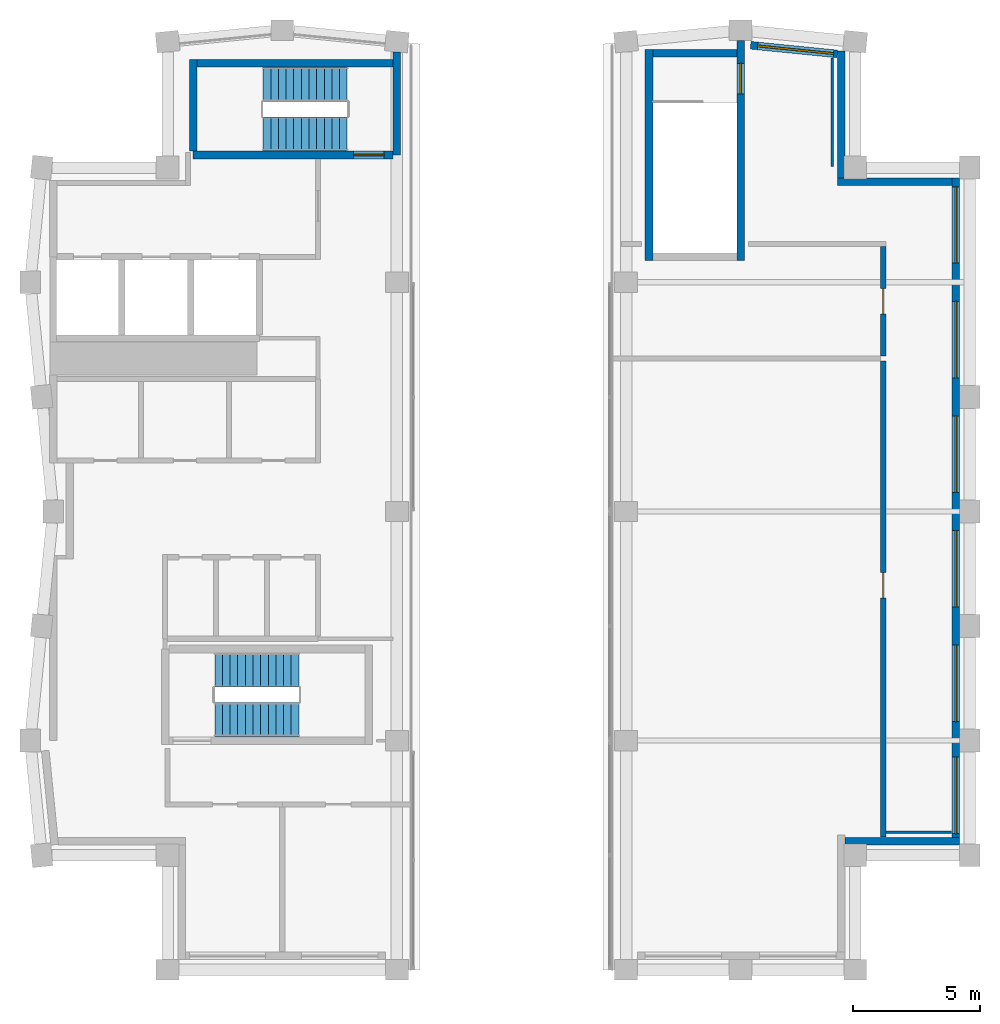
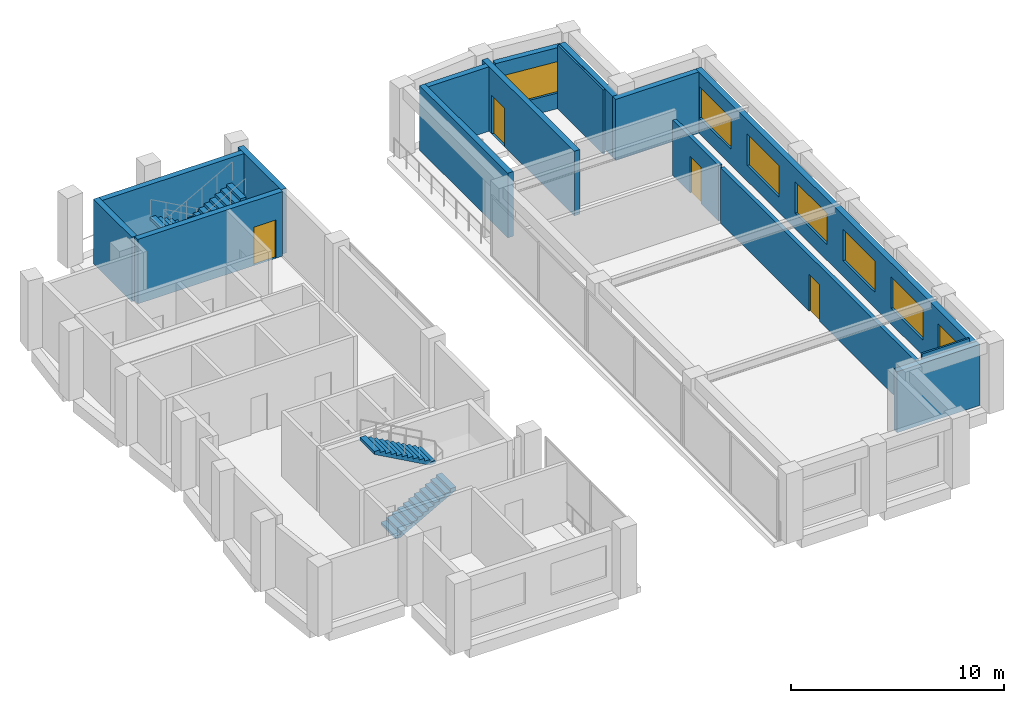
# One storey, part 8 of 9: 16 walls, 7 windows, 4 doors, 4 stair flights, 11 openings, 2 elements without a shape of their own.
"""IFC4 building model written with IfcOpenShell, lengths in metres."""

from ifc_helpers import new_model, si_unit, direction, frame, frame_2d, origin, place, context, subcontext, project, spatial, polyline, rectangle, outline, extrude, material, layer, layer_set, type_object, element, fill, aggregate, save


model = new_model("IFC4")

# Units and contexts
model_context = context("Model", 3, precision=1e-05, world=origin(), true_north=direction((0.0, 1.0)))
body_context = subcontext(model_context, "Body", "Model", "MODEL_VIEW")
ifc_project = project(units=[si_unit("LENGTHUNIT", "METRE"), si_unit("AREAUNIT", "SQUARE_METRE"), si_unit("VOLUMEUNIT", "CUBIC_METRE"), si_unit("PLANEANGLEUNIT", "RADIAN"), si_unit("MASSUNIT", "GRAM", prefix="KILO")], contexts=[model_context])

# Site, building, storey
site_placement = place(None, origin())
site = spatial("IfcSite", under=ifc_project, at=site_placement, CompositionType="ELEMENT")
building_placement = place(site_placement, origin())
building = spatial("IfcBuilding", under=site, at=building_placement, Name="Brondeck Convention Tower", CompositionType="ELEMENT")
storey_placement = place(building_placement, frame((0.0, 0.0, 294.800048828125)))
storey = spatial("IfcBuildingStorey", under=building, at=storey_placement, Name="L73", CompositionType="ELEMENT", Elevation=294.800048828125)

# Wall
ifc_material_1 = material(Name="Precast concrete C50/60 bronze finish", Category="concrete")
ifc_layer_1 = layer(ifc_material_1, 0.070068359375, Name="Bronze precast facing")
ifc_material_2 = material(Name="Mineral wool")
ifc_layer_2 = layer(ifc_material_2, 0.159912109375, Name="Insulation")
ifc_material_3 = material(Name="Concrete C35/45", Category="concrete")
ifc_layer_3 = layer(ifc_material_3, 0.070068359375, Name="Backing")
ifc_layer_set_1 = layer_set([ifc_layer_1, ifc_layer_2, ifc_layer_3], Name="External infill wall, precast concrete C50/60 bronze facing")
wall_type_1 = type_object("IfcWallType", Name="External infill wall, precast concrete C50/60 bronze facing", PredefinedType="SOLIDWALL", material=ifc_layer_set_1)
wall_1_placement = place(storey_placement, frame((35.60009765625, 32.050048828125, 0.0), z_axis=(0.0, 0.0, 1.0), x_axis=(-1.0, 0.0, 0.0)))
element("IfcWall", 1, at=wall_1_placement, inside=storey, type_object=wall_type_1, Name="ENV-EW-L73-K2-NC-KSE-02", PredefinedType="SOLIDWALL", context=body_context, shape_type="SweptSolid", body=[
    extrude(rectangle(XDim=4.5, YDim=0.300048828125, at=frame_2d((2.25, 0.0))), origin(), (0.0, 0.0, 1.0), 3.5),
])

# Wall, openings, windows
wall_2_placement = place(storey_placement, frame((35.449951171875, 58.10009765625, 0.0), z_axis=(0.0, 0.0, 1.0), x_axis=(0.0, -1.0, 0.0)))
wall_2 = element("IfcWall", 2, at=wall_2_placement, inside=storey, type_object=wall_type_1, Name="ENV-EW-L73-K2-K-E-01", PredefinedType="SOLIDWALL", context=body_context, shape_type="SweptSolid", body=[
    extrude(rectangle(XDim=25.902099609375, YDim=0.300048828125, at=frame_2d((12.951171875, 0.0))), origin(), (0.0, 0.0, 1.0), 3.5),
])
opening_1_placement = place(wall_2_placement, frame((0.35009765625, 0.0, 0.89990234375)))
opening_1 = element("IfcOpeningElement", 3, at=opening_1_placement, cuts=wall_2, Name="Opening W8", PredefinedType="OPENING", context=body_context, shape_type="SweptSolid", body=[
    extrude(rectangle(XDim=3.0, YDim=1.800048828125, at=frame_2d((1.5, 0.89990234375))), frame((0.0, 0.159912109375, 0.0), z_axis=(0.0, -1.0, 0.0), x_axis=(1.0, 0.0, 0.0)), (0.0, 0.0, 1.0), 0.320068359375),
])
opening_2_placement = place(wall_2_placement, frame((4.85009765625, 0.0, 0.89990234375)))
opening_2 = element("IfcOpeningElement", 4, at=opening_2_placement, cuts=wall_2, Name="Opening W8", PredefinedType="OPENING", context=body_context, shape_type="SweptSolid", body=[
    extrude(rectangle(XDim=3.0, YDim=1.800048828125, at=frame_2d((1.5, 0.89990234375))), frame((0.0, 0.159912109375, 0.0), z_axis=(0.0, -1.0, 0.0), x_axis=(1.0, 0.0, 0.0)), (0.0, 0.0, 1.0), 0.320068359375),
])
opening_3_placement = place(wall_2_placement, frame((9.35009765625, 0.0, 0.89990234375)))
opening_3 = element("IfcOpeningElement", 5, at=opening_3_placement, cuts=wall_2, Name="Opening W8", PredefinedType="OPENING", context=body_context, shape_type="SweptSolid", body=[
    extrude(rectangle(XDim=3.0, YDim=1.800048828125, at=frame_2d((1.5, 0.89990234375))), frame((0.0, 0.159912109375, 0.0), z_axis=(0.0, -1.0, 0.0), x_axis=(1.0, 0.0, 0.0)), (0.0, 0.0, 1.0), 0.320068359375),
])
opening_4_placement = place(wall_2_placement, frame((13.85009765625, 0.0, 0.89990234375)))
opening_4 = element("IfcOpeningElement", 6, at=opening_4_placement, cuts=wall_2, Name="Opening W8", PredefinedType="OPENING", context=body_context, shape_type="SweptSolid", body=[
    extrude(rectangle(XDim=3.0, YDim=1.800048828125, at=frame_2d((1.5, 0.89990234375))), frame((0.0, 0.159912109375, 0.0), z_axis=(0.0, -1.0, 0.0), x_axis=(1.0, 0.0, 0.0)), (0.0, 0.0, 1.0), 0.320068359375),
])
opening_5_placement = place(wall_2_placement, frame((18.35009765625, 0.0, 0.89990234375)))
opening_5 = element("IfcOpeningElement", 7, at=opening_5_placement, cuts=wall_2, Name="Opening W8", PredefinedType="OPENING", context=body_context, shape_type="SweptSolid", body=[
    extrude(rectangle(XDim=3.0, YDim=1.800048828125, at=frame_2d((1.5, 0.89990234375))), frame((0.0, 0.159912109375, 0.0), z_axis=(0.0, -1.0, 0.0), x_axis=(1.0, 0.0, 0.0)), (0.0, 0.0, 1.0), 0.320068359375),
])
opening_6_placement = place(wall_2_placement, frame((22.751953125, 0.0, 0.89990234375)))
opening_6 = element("IfcOpeningElement", 8, at=opening_6_placement, cuts=wall_2, Name="Opening W8", PredefinedType="OPENING", context=body_context, shape_type="SweptSolid", body=[
    extrude(rectangle(XDim=3.0, YDim=1.800048828125, at=frame_2d((1.5, 0.89990234375))), frame((0.0, 0.159912109375, 0.0), z_axis=(0.0, -1.0, 0.0), x_axis=(1.0, 0.0, 0.0)), (0.0, 0.0, 1.0), 0.320068359375),
])
ifc_material_4 = material(Name="Bronze tinted double glazing", Category="glass")
window_type = type_object("IfcWindowType", Name="Crown plant storey window, bronze tinted", PartitioningType="SINGLE_PANEL", PredefinedType="WINDOW", material=ifc_material_4)
window_1_placement = place(opening_1_placement, origin())
window_1 = element("IfcWindow", 9, at=window_1_placement, inside=storey, type_object=window_type, Name="ENV-WN-L73-K2-K-E-06", OverallHeight=1.800048828125, OverallWidth=3.0, PartitioningType="SINGLE_PANEL", PredefinedType="WINDOW", context=body_context, shape_type="SweptSolid", body=[
    extrude(rectangle(XDim=3.0, YDim=1.800048828125, at=frame_2d((1.5, 0.89990234375))), frame((0.0, 0.030029296875, 0.0), z_axis=(0.0, -1.0, 0.0), x_axis=(1.0, 0.0, 0.0)), (0.0, 0.0, 1.0), 0.06005859375),
])
fill(opening_1, window_1)
window_2_placement = place(opening_2_placement, origin())
window_2 = element("IfcWindow", 10, at=window_2_placement, inside=storey, type_object=window_type, Name="ENV-WN-L73-K2-K-E-05", OverallHeight=1.800048828125, OverallWidth=3.0, PartitioningType="SINGLE_PANEL", PredefinedType="WINDOW", context=body_context, shape_type="SweptSolid", body=[
    extrude(rectangle(XDim=3.0, YDim=1.800048828125, at=frame_2d((1.5, 0.89990234375))), frame((0.0, 0.030029296875, 0.0), z_axis=(0.0, -1.0, 0.0), x_axis=(1.0, 0.0, 0.0)), (0.0, 0.0, 1.0), 0.06005859375),
])
fill(opening_2, window_2)
window_3_placement = place(opening_3_placement, origin())
window_3 = element("IfcWindow", 11, at=window_3_placement, inside=storey, type_object=window_type, Name="ENV-WN-L73-K2-K-E-04", OverallHeight=1.800048828125, OverallWidth=3.0, PartitioningType="SINGLE_PANEL", PredefinedType="WINDOW", context=body_context, shape_type="SweptSolid", body=[
    extrude(rectangle(XDim=3.0, YDim=1.800048828125, at=frame_2d((1.5, 0.89990234375))), frame((0.0, 0.030029296875, 0.0), z_axis=(0.0, -1.0, 0.0), x_axis=(1.0, 0.0, 0.0)), (0.0, 0.0, 1.0), 0.06005859375),
])
fill(opening_3, window_3)
window_4_placement = place(opening_4_placement, origin())
window_4 = element("IfcWindow", 12, at=window_4_placement, inside=storey, type_object=window_type, Name="ENV-WN-L73-K2-K-E-03", OverallHeight=1.800048828125, OverallWidth=3.0, PartitioningType="SINGLE_PANEL", PredefinedType="WINDOW", context=body_context, shape_type="SweptSolid", body=[
    extrude(rectangle(XDim=3.0, YDim=1.800048828125, at=frame_2d((1.5, 0.89990234375))), frame((0.0, 0.030029296875, 0.0), z_axis=(0.0, -1.0, 0.0), x_axis=(1.0, 0.0, 0.0)), (0.0, 0.0, 1.0), 0.06005859375),
])
fill(opening_4, window_4)
window_5_placement = place(opening_5_placement, origin())
window_5 = element("IfcWindow", 13, at=window_5_placement, inside=storey, type_object=window_type, Name="ENV-WN-L73-K2-K-E-02", OverallHeight=1.800048828125, OverallWidth=3.0, PartitioningType="SINGLE_PANEL", PredefinedType="WINDOW", context=body_context, shape_type="SweptSolid", body=[
    extrude(rectangle(XDim=3.0, YDim=1.800048828125, at=frame_2d((1.5, 0.89990234375))), frame((0.0, 0.030029296875, 0.0), z_axis=(0.0, -1.0, 0.0), x_axis=(1.0, 0.0, 0.0)), (0.0, 0.0, 1.0), 0.06005859375),
])
fill(opening_5, window_5)
window_6_placement = place(opening_6_placement, origin())
window_6 = element("IfcWindow", 14, at=window_6_placement, inside=storey, type_object=window_type, Name="ENV-WN-L73-K2-K-E-01", OverallHeight=1.800048828125, OverallWidth=3.0, PartitioningType="SINGLE_PANEL", PredefinedType="WINDOW", context=body_context, shape_type="SweptSolid", body=[
    extrude(rectangle(XDim=3.0, YDim=1.800048828125, at=frame_2d((1.5, 0.89990234375))), frame((0.0, 0.030029296875, 0.0), z_axis=(0.0, -1.0, 0.0), x_axis=(1.0, 0.0, 0.0)), (0.0, 0.0, 1.0), 0.06005859375),
])
fill(opening_6, window_6)

# Walls
wall_3_placement = place(storey_placement, frame((30.800048828125, 57.949951171875, 0.0), z_axis=(0.0, 0.0, 1.0), x_axis=(1.0, 0.0, 0.0)))
element("IfcWall", 15, at=wall_3_placement, inside=storey, type_object=wall_type_1, Name="ENV-EW-L73-K2-NC-KNE-01", PredefinedType="SOLIDWALL", context=body_context, shape_type="SweptSolid", body=[
    extrude(rectangle(XDim=4.501953125, YDim=0.300048828125, at=frame_2d((2.2509765625, 0.0))), origin(), (0.0, 0.0, 1.0), 3.5),
])
wall_4_placement = place(storey_placement, frame((30.949951171875, 63.087890625, 0.0), z_axis=(0.0, 0.0, 1.0), x_axis=(0.0, -1.0, 0.0)))
element("IfcWall", 16, at=wall_4_placement, inside=storey, type_object=wall_type_1, Name="ENV-EW-L73-K2-NC-KNE-02", PredefinedType="SOLIDWALL", context=body_context, shape_type="SweptSolid", body=[
    extrude(rectangle(XDim=4.989990234375, YDim=0.300048828125, at=frame_2d((2.4951171875, 0.0))), origin(), (0.0, 0.0, 1.0), 3.5),
])

# Wall, opening, window
wall_5_placement = place(storey_placement, frame((27.39306640625, 63.30810546875, 0.0), z_axis=(0.0, 0.0, 1.0), x_axis=(0.995030125493, -0.099574340874, 0.0)))
wall_5 = element("IfcWall", 17, at=wall_5_placement, inside=storey, type_object=wall_type_1, Name="ENV-EW-L73-K2-A-N-06", PredefinedType="SOLIDWALL", context=body_context, shape_type="SweptSolid", body=[
    extrude(rectangle(XDim=3.4228515625, YDim=0.300048828125, at=frame_2d((1.71142578125, 0.0))), origin(), (0.0, 0.0, 1.0), 3.5),
])
opening_7_placement = place(wall_5_placement, frame((0.272705078125, 0.0, 0.89990234375)))
opening_7 = element("IfcOpeningElement", 18, at=opening_7_placement, cuts=wall_5, Name="Opening W8", PredefinedType="OPENING", context=body_context, shape_type="SweptSolid", body=[
    extrude(rectangle(XDim=3.0, YDim=1.800048828125, at=frame_2d((1.5, 0.89990234375))), frame((0.0, 0.159912109375, 0.0), z_axis=(0.0, -1.0, 0.0), x_axis=(1.0, 0.0, 0.0)), (0.0, 0.0, 1.0), 0.320068359375),
])
window_7_placement = place(opening_7_placement, origin())
window_7 = element("IfcWindow", 19, at=window_7_placement, inside=storey, type_object=window_type, Name="ENV-WN-L73-K2-A-N-06", OverallHeight=1.800048828125, OverallWidth=3.0, PartitioningType="SINGLE_PANEL", PredefinedType="WINDOW", context=body_context, shape_type="SweptSolid", body=[
    extrude(rectangle(XDim=3.0, YDim=1.800048828125, at=frame_2d((1.5, 0.89990234375))), frame((0.0, 0.030029296875, 0.0), z_axis=(0.0, -1.0, 0.0), x_axis=(1.0, 0.0, 0.0)), (0.0, 0.0, 1.0), 0.06005859375),
])
fill(opening_7, window_7)

# Wall, opening, door
ifc_material_5 = material(Name="Concrete block wall C16/20", Category="concrete")
ifc_layer_4 = layer(ifc_material_5, 0.199951171875)
ifc_layer_set_2 = layer_set([ifc_layer_4], Name="Plant room wall 200")
wall_type_2 = type_object("IfcWallType", Name="Plant room wall 200", PredefinedType="PARTITIONING", material=ifc_layer_set_2)
wall_6_placement = place(storey_placement, frame((32.60009765625, 32.219970703125, 0.0), z_axis=(0.0, 0.0, 1.0), x_axis=(0.0, 1.0, 0.0)))
wall_6 = element("IfcWall", 20, at=wall_6_placement, inside=storey, type_object=wall_type_2, Name="FLR-L73-W002", PredefinedType="PARTITIONING", context=body_context, shape_type="SweptSolid", body=[
    extrude(rectangle(XDim=18.679931640625, YDim=0.199951171875, at=frame_2d((9.33984375, 0.0))), origin(), (0.0, 0.0, 1.0), 3.179931640625),
])
opening_8_placement = place(wall_6_placement, frame((9.37451171875, 0.0, 0.0)))
opening_8 = element("IfcOpeningElement", 21, at=opening_8_placement, cuts=wall_6, Name="Opening CR-B-003", PredefinedType="OPENING", context=body_context, shape_type="SweptSolid", body=[
    extrude(rectangle(XDim=1.0, YDim=2.10009765625, at=frame_2d((0.5, 1.050048828125))), frame((0.0, 0.10986328125, 0.0), z_axis=(0.0, -1.0, 0.0), x_axis=(1.0, 0.0, 0.0)), (0.0, 0.0, 1.0), 0.219970703125),
])
ifc_material_6 = material(Name="Steel fire door leaf", Category="steel")
door_type_1 = type_object("IfcDoorType", Name="Plant room door 1000", OperationType="NOTDEFINED", PredefinedType="DOOR", material=ifc_material_6)
door_1_placement = place(opening_8_placement, origin())
door_1 = element("IfcDoor", 22, at=door_1_placement, inside=storey, type_object=door_type_1, Name="Door CR-B-003", OperationType="SINGLE_SWING_LEFT", OverallHeight=2.10009765625, OverallWidth=1.0, PredefinedType="DOOR", context=body_context, shape_type="SweptSolid", body=[
    extrude(rectangle(XDim=1.0, YDim=2.10009765625, at=frame_2d((0.5, 1.050048828125))), frame((0.0, 0.02490234375, 0.0), z_axis=(0.0, -1.0, 0.0), x_axis=(1.0, 0.0, 0.0)), (0.0, 0.0, 1.0), 0.050048828125),
])
fill(opening_8, door_1)

wall_7_placement = place(storey_placement, frame((32.60009765625, 51.10009765625, 0.0), z_axis=(0.0, 0.0, 1.0), x_axis=(0.0, 1.0, 0.0)))
wall_7 = element("IfcWall", 23, at=wall_7_placement, inside=storey, type_object=wall_type_2, Name="FLR-L73-W009", PredefinedType="PARTITIONING", context=body_context, shape_type="SweptSolid", body=[
    extrude(rectangle(XDim=4.2998046875, YDim=0.199951171875, at=frame_2d((2.14990234375, 0.0))), origin(), (0.0, 0.0, 1.0), 3.179931640625),
])
opening_9_placement = place(wall_7_placement, frame((1.64990234375, 0.0, 0.0)))
opening_9 = element("IfcOpeningElement", 24, at=opening_9_placement, cuts=wall_7, Name="Opening CR-B-004", PredefinedType="OPENING", context=body_context, shape_type="SweptSolid", body=[
    extrude(rectangle(XDim=1.0, YDim=2.10009765625, at=frame_2d((0.5, 1.050048828125))), frame((0.0, 0.10986328125, 0.0), z_axis=(0.0, -1.0, 0.0), x_axis=(1.0, 0.0, 0.0)), (0.0, 0.0, 1.0), 0.219970703125),
])
door_2_placement = place(opening_9_placement, origin())
door_2 = element("IfcDoor", 25, at=door_2_placement, inside=storey, type_object=door_type_1, Name="Door CR-B-004", OperationType="SINGLE_SWING_RIGHT", OverallHeight=2.10009765625, OverallWidth=1.0, PredefinedType="DOOR", context=body_context, shape_type="SweptSolid", body=[
    extrude(rectangle(XDim=1.0, YDim=2.10009765625, at=frame_2d((0.5, 1.050048828125))), frame((0.0, 0.02490234375, 0.0), z_axis=(0.0, -1.0, 0.0), x_axis=(1.0, 0.0, 0.0)), (0.0, 0.0, 1.0), 0.050048828125),
])
fill(opening_9, door_2)

# Walls
ifc_material_7 = material(Name="Gypsum board partition on steel studs", Category="steel")
ifc_layer_5 = layer(ifc_material_7, 0.10009765625)
ifc_layer_set_3 = layer_set([ifc_layer_5], Name="Room partition 100")
wall_type_3 = type_object("IfcWallType", Name="Room partition 100", PredefinedType="PARTITIONING", material=ifc_layer_set_3)
wall_8_placement = place(storey_placement, frame((35.280029296875, 32.39990234375, 0.0), z_axis=(0.0, 0.0, 1.0), x_axis=(-1.0, 0.0, 0.0)))
element("IfcWall", 26, at=wall_8_placement, inside=storey, type_object=wall_type_3, Name="FLR-L73-W001", PredefinedType="PARTITIONING", context=body_context, shape_type="SweptSolid", body=[
    extrude(rectangle(XDim=2.580078125, YDim=0.10009765625, at=frame_2d((1.2900390625, 0.0))), origin(), (0.0, 0.0, 1.0), 3.679931640625),
])
wall_9_placement = place(storey_placement, frame((30.60009765625, 62.81640625, 0.0), z_axis=(0.0, 0.0, 1.0), x_axis=(0.0, -1.0, 0.0)))
element("IfcWall", 27, at=wall_9_placement, inside=storey, type_object=wall_type_3, Name="FLR-L73-W012", PredefinedType="PARTITIONING", context=body_context, shape_type="SweptSolid", body=[
    extrude(rectangle(XDim=4.266357421875, YDim=0.10009765625, at=frame_2d((2.13330078125, 0.0))), origin(), (0.0, 0.0, 1.0), 3.679931640625),
])

# Wall, opening, door
ifc_material_8 = material(Name="Concrete C50/60", Category="concrete")
ifc_layer_6 = layer(ifc_material_8, 0.300048828125)
ifc_layer_set_4 = layer_set([ifc_layer_6], Name="Stair enclosure wall 300 Concrete C50/60")
wall_type_4 = type_object("IfcWallType", Name="Stair enclosure wall 300 Concrete C50/60", PredefinedType="SHEAR", material=ifc_layer_set_4)
wall_10_placement = place(storey_placement, frame((5.5, 59.0, 0.0), z_axis=(0.0, 0.0, 1.0), x_axis=(1.0, 0.0, 0.0)))
wall_10 = element("IfcWall", 28, at=wall_10_placement, inside=storey, type_object=wall_type_4, Name="L73 core wall", PredefinedType="SHEAR", context=body_context, shape_type="SweptSolid", body=[
    extrude(rectangle(XDim=7.85009765625, YDim=0.300048828125, at=frame_2d((3.925048828125, 0.0))), origin(), (0.0, 0.0, 1.0), 3.699951171875),
])
opening_10_placement = place(wall_10_placement, frame((6.300048828125, 0.0, 0.0)))
opening_10 = element("IfcOpeningElement", 29, at=opening_10_placement, cuts=wall_10, Name="Opening C42-10", PredefinedType="OPENING", context=body_context, shape_type="SweptSolid", body=[
    extrude(rectangle(XDim=1.199951171875, YDim=2.199951171875, at=frame_2d((0.60009765625, 1.10009765625))), frame((0.0, 0.159912109375, 0.0), z_axis=(0.0, -1.0, 0.0), x_axis=(1.0, 0.0, 0.0)), (0.0, 0.0, 1.0), 0.320068359375),
])
ifc_material_9 = material(Name="Steel fire door", Category="steel")
door_type_2 = type_object("IfcDoorType", Name="Stair door 1200x2200 EI 120", OperationType="NOTDEFINED", PredefinedType="DOOR", material=ifc_material_9)
door_3_placement = place(opening_10_placement, origin())
door_3 = element("IfcDoor", 30, at=door_3_placement, inside=storey, type_object=door_type_2, Name="L73 Stair door ST-3", OperationType="SINGLE_SWING_RIGHT", OverallHeight=2.199951171875, OverallWidth=1.199951171875, PredefinedType="DOOR", context=body_context, shape_type="SweptSolid", body=[
    extrude(rectangle(XDim=1.199951171875, YDim=2.199951171875, at=frame_2d((0.60009765625, 1.10009765625))), frame((0.0, 0.02490234375, 0.0), z_axis=(0.0, -1.0, 0.0), x_axis=(1.0, 0.0, 0.0)), (0.0, 0.0, 1.0), 0.050048828125),
])
fill(opening_10, door_3)

# Walls
wall_11_placement = place(storey_placement, frame((5.64990234375, 62.60009765625, 0.0), z_axis=(0.0, 0.0, 1.0), x_axis=(1.0, 0.0, 0.0)))
element("IfcWall", 31, at=wall_11_placement, inside=storey, type_object=wall_type_4, Name="L73 core wall", PredefinedType="SHEAR", context=body_context, shape_type="SweptSolid", body=[
    extrude(rectangle(XDim=7.7001953125, YDim=0.300048828125, at=frame_2d((3.85009765625, 0.0))), origin(), (0.0, 0.0, 1.0), 3.699951171875),
])
wall_12_placement = place(storey_placement, frame((23.550048828125, 63.0, 0.0), z_axis=(0.0, 0.0, 1.0), x_axis=(1.0, 0.0, 0.0)))
element("IfcWall", 32, at=wall_12_placement, inside=storey, type_object=wall_type_4, Name="L73 core wall", PredefinedType="SHEAR", context=body_context, shape_type="SweptSolid", body=[
    extrude(rectangle(XDim=3.300048828125, YDim=0.300048828125, at=frame_2d((1.64990234375, 0.0))), origin(), (0.0, 0.0, 1.0), 3.699951171875),
])
wall_13_placement = place(storey_placement, frame((5.5, 59.14990234375, 0.0), z_axis=(0.0, 0.0, 1.0), x_axis=(0.0, 1.0, 0.0)))
element("IfcWall", 33, at=wall_13_placement, inside=storey, type_object=wall_type_4, Name="L73 core wall", PredefinedType="SHEAR", context=body_context, shape_type="SweptSolid", body=[
    extrude(rectangle(XDim=3.60009765625, YDim=0.300048828125, at=frame_2d((1.800048828125, 0.0))), origin(), (0.0, 0.0, 1.0), 3.699951171875),
])
wall_14_placement = place(storey_placement, frame((13.5, 59.0, 0.0), z_axis=(0.0, 0.0, 1.0), x_axis=(0.0, 1.0, 0.0)))
element("IfcWall", 34, at=wall_14_placement, inside=storey, type_object=wall_type_4, Name="L73 core wall", PredefinedType="SHEAR", context=body_context, shape_type="SweptSolid", body=[
    extrude(rectangle(XDim=4.048095703125, YDim=0.300048828125, at=frame_2d((2.02392578125, 0.0))), origin(), (0.0, 0.0, 1.0), 3.699951171875),
])
wall_15_placement = place(storey_placement, frame((23.39990234375, 54.85009765625, 0.0), z_axis=(0.0, 0.0, 1.0), x_axis=(0.0, 1.0, 0.0)))
element("IfcWall", 35, at=wall_15_placement, inside=storey, type_object=wall_type_4, Name="L73 core wall", PredefinedType="SHEAR", context=body_context, shape_type="SweptSolid", body=[
    extrude(rectangle(XDim=8.2998046875, YDim=0.300048828125, at=frame_2d((4.14990234375, 0.0))), origin(), (0.0, 0.0, 1.0), 3.699951171875),
])

# Wall, opening, door
wall_16_placement = place(storey_placement, frame((27.0, 54.85009765625, 0.0), z_axis=(0.0, 0.0, 1.0), x_axis=(0.0, 1.0, 0.0)))
wall_16 = element("IfcWall", 36, at=wall_16_placement, inside=storey, type_object=wall_type_4, Name="L73 core wall", PredefinedType="SHEAR", context=body_context, shape_type="SweptSolid", body=[
    extrude(rectangle(XDim=8.64990234375, YDim=0.300048828125, at=frame_2d((4.324951171875, 0.0))), origin(), (0.0, 0.0, 1.0), 3.699951171875),
])
opening_11_placement = place(wall_16_placement, frame((6.550048828125, 0.0, 0.0)))
opening_11 = element("IfcOpeningElement", 37, at=opening_11_placement, cuts=wall_16, Name="Opening C42-09", PredefinedType="OPENING", context=body_context, shape_type="SweptSolid", body=[
    extrude(rectangle(XDim=1.199951171875, YDim=2.199951171875, at=frame_2d((0.60009765625, 1.10009765625))), frame((0.0, 0.159912109375, 0.0), z_axis=(0.0, -1.0, 0.0), x_axis=(1.0, 0.0, 0.0)), (0.0, 0.0, 1.0), 0.320068359375),
])
door_type_3 = type_object("IfcDoorType", Name="Stair door 1200x2200 EI 90", OperationType="NOTDEFINED", PredefinedType="DOOR", material=ifc_material_9)
door_4_placement = place(opening_11_placement, origin())
door_4 = element("IfcDoor", 38, at=door_4_placement, inside=storey, type_object=door_type_3, Name="L73 Stair door ST-2", OperationType="SINGLE_SWING_LEFT", OverallHeight=2.199951171875, OverallWidth=1.199951171875, PredefinedType="DOOR", context=body_context, shape_type="SweptSolid", body=[
    extrude(rectangle(XDim=1.199951171875, YDim=2.199951171875, at=frame_2d((0.60009765625, 1.10009765625))), frame((0.0, 0.02490234375, 0.0), z_axis=(0.0, -1.0, 0.0), x_axis=(1.0, 0.0, 0.0)), (0.0, 0.0, 1.0), 0.050048828125),
])
fill(opening_11, door_4)

# Stair, stair flights
ifc_material_10 = material(Name="Precast concrete C50/60", Category="concrete")
stair_type = type_object("IfcStairType", Name="Core stair 24 risers 166.67 mm riser 300 mm going 1350 wide", PredefinedType="HALF_TURN_STAIR", material=ifc_material_10)
stair_1_placement = place(storey_placement, origin())
stair_1 = element("IfcStair", 39, at=stair_1_placement, inside=storey, type_object=stair_type, Name="ST-1 L73 stair", PredefinedType="HALF_TURN_STAIR")
stair_flight_type = type_object("IfcStairFlightType", Name="Core stair flight 24 risers 166.67 mm riser 300 mm going 1350 wide", PredefinedType="STRAIGHT", material=ifc_material_10)
stair_flight_1_placement = place(storey_placement, frame((6.35009765625, 36.824951171875, 0.0), z_axis=(0.0, 0.0, 1.0), x_axis=(1.0, 0.0, 0.0)))
stair_flight_1 = element("IfcStairFlight", 40, at=stair_flight_1_placement, type_object=stair_flight_type, Name="ST-1 flight 1", NumberOfRisers=12, NumberOfTreads=11, PredefinedType="STRAIGHT", RiserHeight=0.166666667, TreadLength=0.3, context=body_context, shape_type="SweptSolid", body=[
    extrude(outline(polyline([(0.0, 0.0), (0.0, 0.166748046875), (0.300048828125, 0.166748046875), (0.300048828125, 0.333251953125), (0.60009765625, 0.333251953125), (0.60009765625, 0.5), (0.89990234375, 0.5), (0.89990234375, 0.666748046875), (1.199951171875, 0.666748046875), (1.199951171875, 0.833251953125), (1.5, 0.833251953125), (1.5, 1.0), (1.800048828125, 1.0), (1.800048828125, 1.166748046875), (2.10009765625, 1.166748046875), (2.10009765625, 1.333251953125), (2.39990234375, 1.333251953125), (2.39990234375, 1.5), (2.699951171875, 1.5), (2.699951171875, 1.666748046875), (3.0, 1.666748046875), (3.0, 1.833251953125), (3.300048828125, 1.833251953125), (3.300048828125, 2.0), (3.300048828125, 1.661865234375), (0.30859375, 0.0), (0.0, 0.0)])), frame((0.0, 0.675048828125, 0.0), z_axis=(0.0, -1.0, 0.0), x_axis=(1.0, 0.0, 0.0)), (0.0, 0.0, 1.0), 1.35009765625),
])
stair_flight_2_placement = place(storey_placement, frame((9.64990234375, 38.77490234375, 2.0), z_axis=(0.0, 0.0, 1.0), x_axis=(-1.0, 0.0, 0.0)))
stair_flight_2 = element("IfcStairFlight", 41, at=stair_flight_2_placement, type_object=stair_flight_type, Name="ST-1 flight 2", NumberOfRisers=12, NumberOfTreads=11, PredefinedType="STRAIGHT", RiserHeight=0.166666667, TreadLength=0.3, context=body_context, shape_type="SweptSolid", body=[
    extrude(outline(polyline([(0.0, 0.0), (0.0, 0.166748046875), (0.300048828125, 0.166748046875), (0.300048828125, 0.333251953125), (0.60009765625, 0.333251953125), (0.60009765625, 0.5), (0.89990234375, 0.5), (0.89990234375, 0.666748046875), (1.199951171875, 0.666748046875), (1.199951171875, 0.833251953125), (1.5, 0.833251953125), (1.5, 1.0), (1.800048828125, 1.0), (1.800048828125, 1.166748046875), (2.10009765625, 1.166748046875), (2.10009765625, 1.333251953125), (2.39990234375, 1.333251953125), (2.39990234375, 1.5), (2.699951171875, 1.5), (2.699951171875, 1.666748046875), (3.0, 1.666748046875), (3.0, 1.833251953125), (3.300048828125, 1.833251953125), (3.300048828125, 2.0), (3.300048828125, 1.661865234375), (0.30859375, 0.0), (0.0, 0.0)])), frame((0.0, 0.675048828125, 0.0), z_axis=(0.0, -1.0, 0.0), x_axis=(1.0, 0.0, 0.0)), (0.0, 0.0, 1.0), 1.35009765625),
])
aggregate(stair_1, [stair_flight_1, stair_flight_2])

stair_2_placement = place(storey_placement, origin())
stair_2 = element("IfcStair", 42, at=stair_2_placement, inside=storey, type_object=stair_type, Name="ST-3 L73 stair", PredefinedType="HALF_TURN_STAIR")
stair_flight_3_placement = place(storey_placement, frame((11.550048828125, 61.77490234375, 0.0), z_axis=(0.0, 0.0, 1.0), x_axis=(-1.0, 0.0, 0.0)))
stair_flight_3 = element("IfcStairFlight", 43, at=stair_flight_3_placement, type_object=stair_flight_type, Name="ST-3 flight 1", NumberOfRisers=12, NumberOfTreads=11, PredefinedType="STRAIGHT", RiserHeight=0.166666667, TreadLength=0.3, context=body_context, shape_type="SweptSolid", body=[
    extrude(outline(polyline([(0.0, 0.0), (0.0, 0.166748046875), (0.300048828125, 0.166748046875), (0.300048828125, 0.333251953125), (0.60009765625, 0.333251953125), (0.60009765625, 0.5), (0.89990234375, 0.5), (0.89990234375, 0.666748046875), (1.199951171875, 0.666748046875), (1.199951171875, 0.833251953125), (1.5, 0.833251953125), (1.5, 1.0), (1.800048828125, 1.0), (1.800048828125, 1.166748046875), (2.10009765625, 1.166748046875), (2.10009765625, 1.333251953125), (2.39990234375, 1.333251953125), (2.39990234375, 1.5), (2.699951171875, 1.5), (2.699951171875, 1.666748046875), (3.0, 1.666748046875), (3.0, 1.833251953125), (3.300048828125, 1.833251953125), (3.300048828125, 2.0), (3.300048828125, 1.661865234375), (0.30859375, 0.0), (0.0, 0.0)])), frame((0.0, 0.675048828125, 0.0), z_axis=(0.0, -1.0, 0.0), x_axis=(1.0, 0.0, 0.0)), (0.0, 0.0, 1.0), 1.35009765625),
])
stair_flight_4_placement = place(storey_placement, frame((8.25, 59.824951171875, 2.0), z_axis=(0.0, 0.0, 1.0), x_axis=(1.0, 0.0, 0.0)))
stair_flight_4 = element("IfcStairFlight", 44, at=stair_flight_4_placement, type_object=stair_flight_type, Name="ST-3 flight 2", NumberOfRisers=12, NumberOfTreads=11, PredefinedType="STRAIGHT", RiserHeight=0.166666667, TreadLength=0.3, context=body_context, shape_type="SweptSolid", body=[
    extrude(outline(polyline([(0.0, 0.0), (0.0, 0.166748046875), (0.300048828125, 0.166748046875), (0.300048828125, 0.333251953125), (0.60009765625, 0.333251953125), (0.60009765625, 0.5), (0.89990234375, 0.5), (0.89990234375, 0.666748046875), (1.199951171875, 0.666748046875), (1.199951171875, 0.833251953125), (1.5, 0.833251953125), (1.5, 1.0), (1.800048828125, 1.0), (1.800048828125, 1.166748046875), (2.10009765625, 1.166748046875), (2.10009765625, 1.333251953125), (2.39990234375, 1.333251953125), (2.39990234375, 1.5), (2.699951171875, 1.5), (2.699951171875, 1.666748046875), (3.0, 1.666748046875), (3.0, 1.833251953125), (3.300048828125, 1.833251953125), (3.300048828125, 2.0), (3.300048828125, 1.661865234375), (0.30859375, 0.0), (0.0, 0.0)])), frame((0.0, 0.675048828125, 0.0), z_axis=(0.0, -1.0, 0.0), x_axis=(1.0, 0.0, 0.0)), (0.0, 0.0, 1.0), 1.35009765625),
])
aggregate(stair_2, [stair_flight_3, stair_flight_4])

save(model, "model.ifc")
